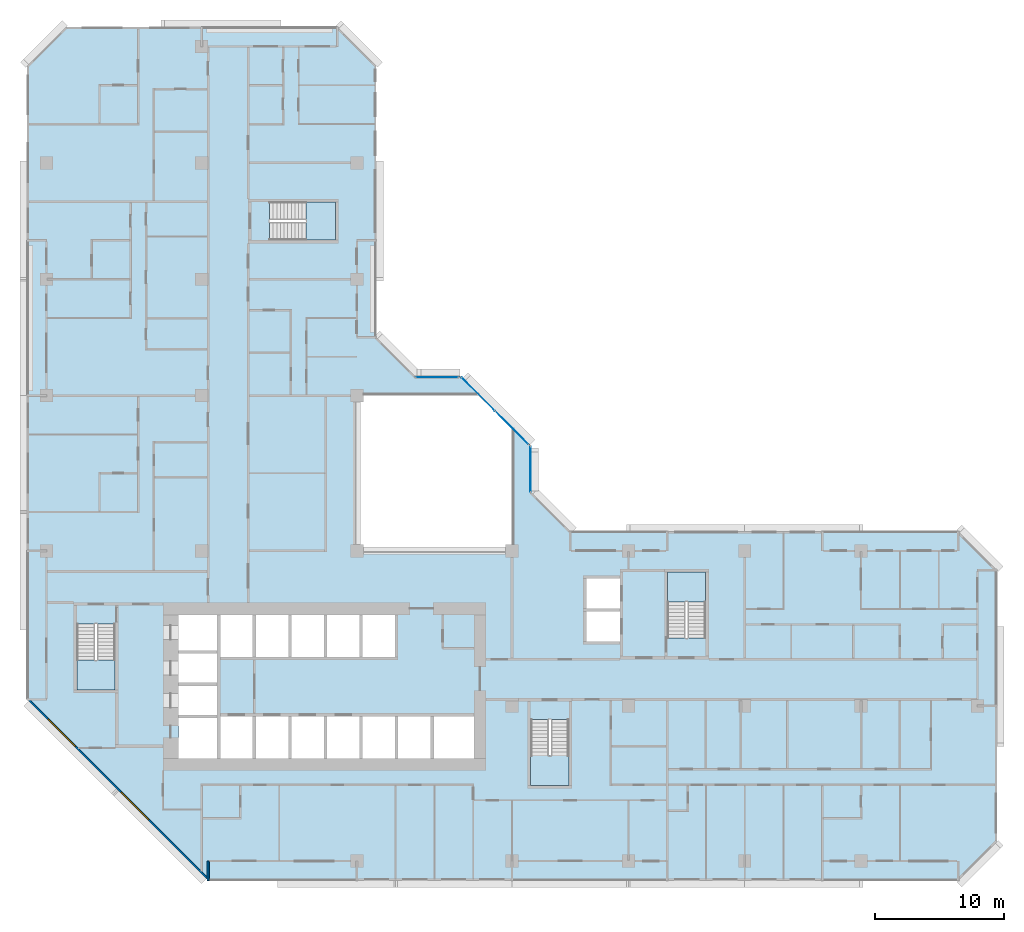
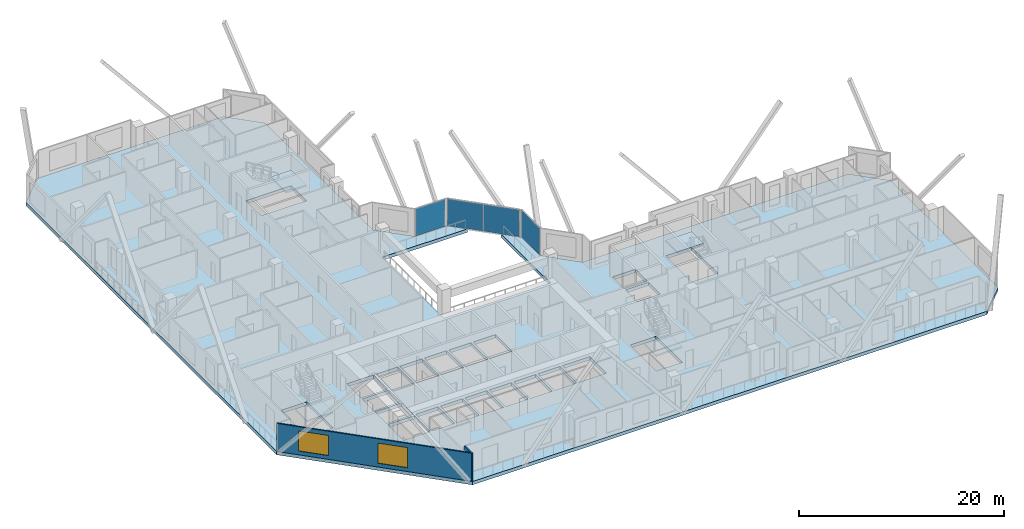
# One storey, part 3 of 15: 5 slabs, 4 plates, 2 walls, 2 windows, 2 openings, 7 elements without a shape of their own.
"""IFC4 building model written with IfcOpenShell, lengths in metres."""

import ifcopenshell
import ifcopenshell.guid

model = None  # the IFC model being written
_history = None  # IfcOwnerHistory: only IFC2X3 demands one
_inside = {}  # id of a spatial element -> (the spatial element, [elements in it])
_under = {}  # id of a project, library or spatial element -> (it, [spatial elements below it])
_declared = {}  # id of a project -> (the project, [libraries it declares])
_typed = {}  # id of a type object -> (the type object, [elements of that type])
_made_of = {}  # id of a material, layer set ... -> (it, [elements and type objects made of it])


def new_model(schema):
    """Start an empty IFC model of exactly this schema.

    Asked for "IFC4X3", IfcOpenShell would pick the latest addendum, in which some entities
    have other attributes; the version numbers below select the first issue.
    IFC2X3 requires an IfcOwnerHistory on every rooted entity: one is made here for all.
    """
    global model, _history
    if schema == "IFC4X3":
        model = ifcopenshell.file(schema_version=(4, 3, 0, 0))
    else:
        model = ifcopenshell.file(schema=schema)
    _inside.clear()
    _under.clear()
    _declared.clear()
    _typed.clear()
    _made_of.clear()
    _history = None
    if model.schema == "IFC2X3":
        org = make("IfcOrganization", Name="unknown")
        user = make(
            "IfcPersonAndOrganization",
            ThePerson=make("IfcPerson", FamilyName="unknown"),
            TheOrganization=org,
        )
        app = make(
            "IfcApplication",
            ApplicationDeveloper=org,
            Version="unknown",
            ApplicationFullName="unknown",
            ApplicationIdentifier="unknown",
        )
        _history = make(
            "IfcOwnerHistory",
            OwningUser=user,
            OwningApplication=app,
            ChangeAction="ADDED",
            CreationDate=0,
        )
    return model


def make(cls, **values):
    """One entity of the class cls with the attributes given. An attribute that is None is left unset."""
    return model.create_entity(
        cls, **{name: value for name, value in values.items() if value is not None}
    )


def rooted(cls, **values):
    """An entity with a GlobalId (a new one), such as an element, a storey or a relation."""
    return make(cls, GlobalId=ifcopenshell.guid.new(), OwnerHistory=_history, **values)


def si_unit(unit_type, name, prefix=None):
    """IfcSIUnit, for example si_unit("LENGTHUNIT", "METRE", prefix="MILLI")."""
    return make("IfcSIUnit", UnitType=unit_type, Prefix=prefix, Name=name)


def assignment(units):
    """IfcUnitAssignment: the units of a project."""
    return None if units is None else make("IfcUnitAssignment", Units=units)


def point(xyz):
    """IfcCartesianPoint."""
    return None if xyz is None else make("IfcCartesianPoint", Coordinates=xyz)


def direction(xyz):
    """IfcDirection."""
    return None if xyz is None else make("IfcDirection", DirectionRatios=xyz)


def frame(location, z_axis=None, x_axis=None):
    """IfcAxis2Placement3D, a coordinate frame: its origin and axes. An axis left out is left unset."""
    return make(
        "IfcAxis2Placement3D",
        Location=point(location),
        Axis=direction(z_axis),
        RefDirection=direction(x_axis),
    )


def frame_2d(location, x_axis=None):
    """IfcAxis2Placement2D, a coordinate frame in the plane: its origin and x axis."""
    return make(
        "IfcAxis2Placement2D", Location=point(location), RefDirection=direction(x_axis)
    )


def origin():
    """The frame at (0, 0, 0) with its axes left unset."""
    return frame((0.0, 0.0, 0.0))


def origin_2d():
    """The frame at (0, 0) in the plane with its x axis left unset."""
    return frame_2d((0.0, 0.0))


def place(relative_to, where):
    """IfcLocalPlacement: puts the frame where relative to a parent placement (None: the world)."""
    return make(
        "IfcLocalPlacement", PlacementRelTo=relative_to, RelativePlacement=where
    )


def context(
    kind, dimensions, precision=None, world=None, true_north=None, identifier=None
):
    """IfcGeometricRepresentationContext, for example the 3D "Model" context."""
    return make(
        "IfcGeometricRepresentationContext",
        ContextIdentifier=identifier,
        ContextType=kind,
        CoordinateSpaceDimension=dimensions,
        Precision=precision,
        WorldCoordinateSystem=world,
        TrueNorth=true_north,
    )


def subcontext(parent, identifier, kind, view, scale=None):
    """IfcGeometricRepresentationSubContext, for example "Body" below "Model"."""
    return make(
        "IfcGeometricRepresentationSubContext",
        ContextIdentifier=identifier,
        ContextType=kind,
        ParentContext=parent,
        TargetScale=scale,
        TargetView=view,
    )


def project(units=None, contexts=None):
    """IfcProject with its units and contexts."""
    return rooted(
        "IfcProject",
        Name="project",
        RepresentationContexts=contexts,
        UnitsInContext=assignment(units),
    )


def spatial(cls, under=None, at=None, **own):
    """A site, building, storey or space (cls), placed at a placement, below another one or the project."""
    s = rooted(cls, ObjectPlacement=at, **own)
    if under is not None:
        _under.setdefault(under.id(), (under, []))[1].append(s)
    return s


def polyline(points):
    """IfcPolyline through the points."""
    return make("IfcPolyline", Points=[point(p) for p in points])


def profile(cls, at=None, kind="AREA", **sizes):
    """A parametric profile (cls). Its sizes go by their IFC names, for example OverallWidth=200.0."""
    return make(cls, ProfileType=kind, Position=at, **sizes)


def rectangle(**sizes):
    """IfcRectangleProfileDef."""
    return profile("IfcRectangleProfileDef", **sizes)


def outline(outer, holes=None, kind="AREA"):
    """IfcArbitraryClosedProfileDef: a profile drawn as a closed curve; with holes, ...WithVoids."""
    if holes is None:
        return make("IfcArbitraryClosedProfileDef", ProfileType=kind, OuterCurve=outer)
    return make(
        "IfcArbitraryProfileDefWithVoids",
        ProfileType=kind,
        OuterCurve=outer,
        InnerCurves=holes,
    )


def extrude(swept, where, along, depth):
    """IfcExtrudedAreaSolid: the profile swept, set in the frame where, extruded along a direction by depth."""
    return make(
        "IfcExtrudedAreaSolid",
        SweptArea=swept,
        Position=where,
        ExtrudedDirection=direction(along),
        Depth=depth,
    )


def shape(context_of_items, identifier, shape_type, items):
    """IfcShapeRepresentation: the items that make up one representation, for example the "Body"."""
    return make(
        "IfcShapeRepresentation",
        ContextOfItems=context_of_items,
        RepresentationIdentifier=identifier,
        RepresentationType=shape_type,
        Items=items,
    )


def material(Name=None, Category=None):
    """IfcMaterial."""
    return make("IfcMaterial", Name=Name, Category=Category)


def layer(
    of_material, thickness, ventilated=None, Name=None, Category=None, Priority=None
):
    """IfcMaterialLayer: one layer of a wall or slab, of a material (None: an air gap)."""
    return make(
        "IfcMaterialLayer",
        Material=of_material,
        LayerThickness=thickness,
        IsVentilated=ventilated,
        Name=Name,
        Category=Category,
        Priority=Priority,
    )


def layer_set(layers, Name=None):
    """IfcMaterialLayerSet."""
    return make("IfcMaterialLayerSet", MaterialLayers=layers, LayerSetName=Name)


def made_of(thing, what):
    """Note that an element or type object is made of a material, layer set ...; save() writes the relation."""
    if what is not None:
        _made_of.setdefault(what.id(), (what, []))[1].append(thing)
    return thing


def type_object(cls, material=None, **own):
    """A type object (cls), such as IfcWallType, which elements share."""
    return made_of(rooted(cls, **own), material)


def element(
    cls,
    number,
    at=None,
    inside=None,
    cuts=None,
    type_object=None,
    material=None,
    context=None,
    identifier="Body",
    shape_type=None,
    held_by="IfcProductDefinitionShape",
    body=None,
    shapes=None,
    **own,
):
    """One element of the class cls, such as IfcWall. Its Tag is "e" and its number.

    at: its placement. inside: the storey or other place that contains it. cuts: it is an
    opening in that element (IfcRelVoidsElement). A single representation is given by context,
    identifier, shape_type and body (its items); several are given by shapes. held_by: the class
    of the entity that holds the representations. save() writes the other relations.
    """
    e = rooted(cls, Tag="e%d" % number, ObjectPlacement=at, **own)
    if body is not None:
        shapes = [shape(context, identifier, shape_type, body)]
    if shapes is not None:
        e.Representation = make(held_by, Representations=shapes)
    if inside is not None:
        _inside.setdefault(inside.id(), (inside, []))[1].append(e)
    if cuts is not None:
        rooted(
            "IfcRelVoidsElement", RelatingBuildingElement=cuts, RelatedOpeningElement=e
        )
    if type_object is not None:
        _typed.setdefault(type_object.id(), (type_object, []))[1].append(e)
    return made_of(e, material)


def fill(opening, filler):
    """IfcRelFillsElement: the door or window that sits in an opening."""
    return rooted(
        "IfcRelFillsElement",
        RelatingOpeningElement=opening,
        RelatedBuildingElement=filler,
    )


def aggregate(whole, parts):
    """IfcRelAggregates: a whole, such as a stair, and the parts it consists of."""
    return rooted("IfcRelAggregates", RelatingObject=whole, RelatedObjects=parts)


def save(model, path):
    """Write the relations noted so far, then the file.

    IfcRelAggregates (storeys below a building ...), IfcRelContainedInSpatialStructure (elements
    in a storey), IfcRelDefinesByType, IfcRelAssociatesMaterial and IfcRelDeclares: one each for
    every whole, place, type object, material and project.
    """
    for whole, parts in _under.values():
        aggregate(whole, parts)
    for where, things in _inside.values():
        rooted(
            "IfcRelContainedInSpatialStructure",
            RelatedElements=things,
            RelatingStructure=where,
        )
    for kind, things in _typed.values():
        rooted("IfcRelDefinesByType", RelatedObjects=things, RelatingType=kind)
    for what, things in _made_of.values():
        rooted("IfcRelAssociatesMaterial", RelatedObjects=things, RelatingMaterial=what)
    for by, libraries in _declared.values():
        rooted("IfcRelDeclares", RelatingContext=by, RelatedDefinitions=libraries)
    model.write(path)


model = new_model("IFC4")

# Units and contexts
model_context = context("Model", 3, precision=1e-05, world=origin(), true_north=direction((0.0, 1.0)))
body_context = subcontext(model_context, "Body", "Model", "MODEL_VIEW")
ifc_project = project(units=[si_unit("LENGTHUNIT", "METRE"), si_unit("AREAUNIT", "SQUARE_METRE"), si_unit("VOLUMEUNIT", "CUBIC_METRE"), si_unit("PLANEANGLEUNIT", "RADIAN"), si_unit("MASSUNIT", "GRAM", prefix="KILO")], contexts=[model_context])

# Site, building, storey
site_placement = place(None, origin())
site = spatial("IfcSite", under=ifc_project, at=site_placement, CompositionType="ELEMENT")
building_placement = place(site_placement, origin())
building = spatial("IfcBuilding", under=site, at=building_placement, Name="Chenar Terraces", CompositionType="ELEMENT")
storey_placement = place(building_placement, frame((0.0, 0.0, 129.39990234375)))
storey = spatial("IfcBuildingStorey", under=building, at=storey_placement, Name="L30", CompositionType="ELEMENT", Elevation=129.39990234375)

# Curtain wall, plate
ifc_material_1 = material(Name="Aluminium framed glazing", Category="aluminium")
ifc_layer_1 = layer(ifc_material_1, 0.14990234375)
ifc_layer_set_1 = layer_set([ifc_layer_1], Name="Aluminium framed glazing")
curtain_wall_type = type_object("IfcCurtainWallType", Name="Atrium curtain wall", PredefinedType="NOTDEFINED", material=ifc_layer_set_1)
placement_1 = place(storey_placement, origin())
curtain_wall_1 = element("IfcCurtainWall", 1, at=placement_1, inside=storey, type_object=curtain_wall_type, Name="Atrium curtain wall", PredefinedType="NOTDEFINED")
ifc_material_2 = material(Name="Low emissivity laminated glass, solar control coating", Category="glass")
ifc_layer_2 = layer(ifc_material_2, 0.028076171875)
ifc_layer_set_2 = layer_set([ifc_layer_2], Name="Low emissivity laminated glass, solar control coating")
plate_type = type_object("IfcPlateType", Name="Atrium glazing panel 28", PredefinedType="CURTAIN_PANEL", material=ifc_layer_set_2)
plate_1_placement = place(storey_placement, frame((37.425048828125, 30.300048828125, 0.06005859375), z_axis=(0.0, 0.0, 1.0), x_axis=(0.0, 1.0, 0.0)))
plate_1 = element("IfcPlate", 2, at=plate_1_placement, type_object=plate_type, Name="CW1-1 panel 1.1", PredefinedType="CURTAIN_PANEL", context=body_context, shape_type="SweptSolid", body=[
    extrude(rectangle(XDim=3.47998046875, YDim=0.028076171875, at=origin_2d()), origin(), (0.0, 0.0, 1.0), 3.22998046875),
])
aggregate(curtain_wall_1, [plate_1])

# Curtain wall, plates
curtain_wall_2 = element("IfcCurtainWall", 3, at=placement_1, inside=storey, type_object=curtain_wall_type, Name="Atrium curtain wall", PredefinedType="NOTDEFINED")
plate_2_placement = place(storey_placement, frame((35.980224609375, 33.513671875, 0.06005859375), z_axis=(0.0, 0.0, 1.0), x_axis=(-0.707106781187, 0.707106781187, 0.0)))
plate_2 = element("IfcPlate", 4, at=plate_2_placement, type_object=plate_type, Name="CW1-2 panel 1.1", PredefinedType="CURTAIN_PANEL", context=body_context, shape_type="SweptSolid", body=[
    extrude(rectangle(XDim=3.62841796875, YDim=0.028076171875, at=origin_2d()), origin(), (0.0, 0.0, 1.0), 3.22998046875),
])
plate_3_placement = place(storey_placement, frame((33.3720703125, 36.121826171875, 0.06005859375), z_axis=(0.0, 0.0, 1.0), x_axis=(-0.707106781187, 0.707106781187, 0.0)))
plate_3 = element("IfcPlate", 5, at=plate_3_placement, type_object=plate_type, Name="CW1-2 panel 2.1", PredefinedType="CURTAIN_PANEL", context=body_context, shape_type="SweptSolid", body=[
    extrude(rectangle(XDim=3.62841796875, YDim=0.028076171875, at=origin_2d()), origin(), (0.0, 0.0, 1.0), 3.22998046875),
])
aggregate(curtain_wall_2, [plate_2, plate_3])

# Curtain wall, plate
curtain_wall_3 = element("IfcCurtainWall", 6, at=placement_1, inside=storey, type_object=curtain_wall_type, Name="Atrium curtain wall", PredefinedType="NOTDEFINED")
plate_4_placement = place(storey_placement, frame((30.199951171875, 37.425048828125, 0.06005859375), z_axis=(0.0, 0.0, 1.0), x_axis=(-1.0, 0.0, 0.0)))
plate_4 = element("IfcPlate", 7, at=plate_4_placement, type_object=plate_type, Name="CW1-3 panel 1.1", PredefinedType="CURTAIN_PANEL", context=body_context, shape_type="SweptSolid", body=[
    extrude(rectangle(XDim=3.280029296875, YDim=0.028076171875, at=origin_2d()), origin(), (0.0, 0.0, 1.0), 3.22998046875),
])
aggregate(curtain_wall_3, [plate_4])

# Stair, slab
ifc_material_3 = material(Name="Reinforced concrete C40/50", Category="concrete")
stair_type = type_object("IfcStairType", Name="Core stair 1400 half-turn", PredefinedType="HALF_TURN_STAIR", material=ifc_material_3)
stair_1 = element("IfcStair", 8, at=placement_1, inside=storey, type_object=stair_type, Name="L30 Stair 1", PredefinedType="HALF_TURN_STAIR")
ifc_material_4 = material(Name="Reinforced concrete C40/50", Category="concrete")
ifc_layer_3 = layer(ifc_material_4, 0.199951171875)
ifc_layer_set_3 = layer_set([ifc_layer_3], Name="Reinforced concrete C40/50")
slab_type_1 = type_object("IfcSlabType", Name="Core stair landing 200", PredefinedType="LANDING", material=ifc_layer_set_3)
placement_2 = place(storey_placement, frame((0.0, 0.0, 1.675048828125)))
slab_1 = element("IfcSlab", 9, at=placement_2, type_object=slab_type_1, Name="ST1 landing 1", PredefinedType="LANDING", context=body_context, shape_type="SweptSolid", body=[
    extrude(outline(polyline([(2.35009765625, 15.550048828125), (2.35009765625, 13.25), (5.300048828125, 13.25), (5.300048828125, 15.550048828125), (2.35009765625, 15.550048828125)])), origin(), (0.0, 0.0, 1.0), 0.199951171875),
])
aggregate(stair_1, [slab_1])

stair_2 = element("IfcStair", 10, at=placement_1, inside=storey, type_object=stair_type, Name="L30 Stair 2", PredefinedType="HALF_TURN_STAIR")
slab_2 = element("IfcSlab", 11, at=placement_2, type_object=slab_type_1, Name="ST2 landing 1", PredefinedType="LANDING", context=body_context, shape_type="SweptSolid", body=[
    extrude(outline(polyline([(37.449951171875, 8.14990234375), (37.449951171875, 5.85009765625), (40.39990234375, 5.85009765625), (40.39990234375, 8.14990234375), (37.449951171875, 8.14990234375)])), origin(), (0.0, 0.0, 1.0), 0.199951171875),
])
aggregate(stair_2, [slab_2])

stair_3 = element("IfcStair", 12, at=placement_1, inside=storey, type_object=stair_type, Name="L30 Stair 3", PredefinedType="HALF_TURN_STAIR")
slab_3 = element("IfcSlab", 13, at=placement_2, type_object=slab_type_1, Name="ST3 landing 1", PredefinedType="LANDING", context=body_context, shape_type="SweptSolid", body=[
    extrude(outline(polyline([(50.97509765625, 20.050048828125), (50.97509765625, 22.35009765625), (48.02490234375, 22.35009765625), (48.02490234375, 20.050048828125), (50.97509765625, 20.050048828125)])), origin(), (0.0, 0.0, 1.0), 0.199951171875),
])
aggregate(stair_3, [slab_3])

stair_4 = element("IfcStair", 14, at=placement_1, inside=storey, type_object=stair_type, Name="L30 Stair 4", PredefinedType="HALF_TURN_STAIR")
slab_4 = element("IfcSlab", 15, at=placement_2, type_object=slab_type_1, Name="ST4 landing 1", PredefinedType="LANDING", context=body_context, shape_type="SweptSolid", body=[
    extrude(outline(polyline([(20.050048828125, 48.02490234375), (22.35009765625, 48.02490234375), (22.35009765625, 50.97509765625), (20.050048828125, 50.97509765625), (20.050048828125, 48.02490234375)])), origin(), (0.0, 0.0, 1.0), 0.199951171875),
])
aggregate(stair_4, [slab_4])

# Slab
ifc_material_5 = material(Name="Concrete C40/50", Category="concrete")
ifc_layer_4 = layer(ifc_material_5, 0.39990234375)
ifc_layer_set_4 = layer_set([ifc_layer_4], Name="Concrete C40/50")
slab_type_2 = type_object("IfcSlabType", Name="Floor slab 400 Concrete C40/50", PredefinedType="FLOOR", material=ifc_layer_set_4)
slab_5_placement = place(storey_placement, frame((0.0, 0.0, -0.39990234375)))
element("IfcSlab", 16, at=slab_5_placement, inside=storey, type_object=slab_type_2, Name="Floor slab L30", PredefinedType="FLOOR", context=body_context, shape_type="SweptSolid", body=[
    extrude(outline(polyline([(73.5, 22.5), (73.5, 1.5), (70.5, -1.5), (12.5, -1.5), (-1.5, 12.5), (-1.5, 61.5), (1.5, 64.5), (22.5, 64.5), (25.5, 61.5), (25.5, 40.5), (28.5, 37.5), (32.10009765625, 37.5), (33.60009765625, 36.0), (24.0, 36.0), (24.0, 24.0), (36.0, 24.0), (36.0, 33.60009765625), (37.5, 32.10009765625), (37.5, 28.5), (40.5, 25.5), (70.5, 25.5), (73.5, 22.5)]), holes=[polyline([(13.199951171875, 11.050048828125), (10.199951171875, 11.050048828125), (10.199951171875, 7.949951171875), (13.199951171875, 7.949951171875), (13.199951171875, 11.050048828125)]), polyline([(15.949951171875, 11.199951171875), (13.449951171875, 11.199951171875), (13.449951171875, 7.949951171875), (15.949951171875, 7.949951171875), (15.949951171875, 11.199951171875)]), polyline([(18.699951171875, 11.199951171875), (16.199951171875, 11.199951171875), (16.199951171875, 7.949951171875), (18.699951171875, 7.949951171875), (18.699951171875, 11.199951171875)]), polyline([(21.449951171875, 7.949951171875), (21.449951171875, 11.199951171875), (18.949951171875, 11.199951171875), (18.949951171875, 7.949951171875), (21.449951171875, 7.949951171875)]), polyline([(13.199951171875, 11.300048828125), (13.199951171875, 13.550048828125), (10.199951171875, 13.550048828125), (10.199951171875, 11.300048828125), (13.199951171875, 11.300048828125)]), polyline([(13.199951171875, 16.050048828125), (10.199951171875, 16.050048828125), (10.199951171875, 13.800048828125), (13.199951171875, 13.800048828125), (13.199951171875, 16.050048828125)]), polyline([(2.35009765625, 18.35009765625), (2.35009765625, 13.25), (5.300048828125, 13.25), (5.300048828125, 18.35009765625), (2.35009765625, 18.35009765625)]), polyline([(15.949951171875, 15.800048828125), (15.949951171875, 19.050048828125), (13.449951171875, 19.050048828125), (13.449951171875, 15.800048828125), (15.949951171875, 15.800048828125)]), polyline([(18.699951171875, 19.050048828125), (16.199951171875, 19.050048828125), (16.199951171875, 15.800048828125), (18.699951171875, 15.800048828125), (18.699951171875, 19.050048828125)]), polyline([(21.449951171875, 15.800048828125), (21.449951171875, 19.050048828125), (18.949951171875, 19.050048828125), (18.949951171875, 15.800048828125), (21.449951171875, 15.800048828125)]), polyline([(13.199951171875, 16.300048828125), (13.199951171875, 19.050048828125), (10.199951171875, 19.050048828125), (10.199951171875, 16.300048828125), (13.199951171875, 16.300048828125)]), polyline([(22.35009765625, 48.02490234375), (22.35009765625, 50.97509765625), (17.25, 50.97509765625), (17.25, 48.02490234375), (22.35009765625, 48.02490234375)]), polyline([(37.449951171875, 10.949951171875), (37.449951171875, 5.85009765625), (40.39990234375, 5.85009765625), (40.39990234375, 10.949951171875), (37.449951171875, 10.949951171875)]), polyline([(24.199951171875, 7.949951171875), (24.199951171875, 11.199951171875), (21.699951171875, 11.199951171875), (21.699951171875, 7.949951171875), (24.199951171875, 7.949951171875)]), polyline([(26.949951171875, 11.199951171875), (24.449951171875, 11.199951171875), (24.449951171875, 7.949951171875), (26.949951171875, 7.949951171875), (26.949951171875, 11.199951171875)]), polyline([(29.699951171875, 7.949951171875), (29.699951171875, 11.199951171875), (27.199951171875, 11.199951171875), (27.199951171875, 7.949951171875), (29.699951171875, 7.949951171875)]), polyline([(33.050048828125, 7.949951171875), (33.050048828125, 11.199951171875), (29.949951171875, 11.199951171875), (29.949951171875, 7.949951171875), (33.050048828125, 7.949951171875)]), polyline([(24.199951171875, 19.050048828125), (21.699951171875, 19.050048828125), (21.699951171875, 15.800048828125), (24.199951171875, 15.800048828125), (24.199951171875, 19.050048828125)]), polyline([(26.949951171875, 15.800048828125), (26.949951171875, 19.050048828125), (24.449951171875, 19.050048828125), (24.449951171875, 15.800048828125), (26.949951171875, 15.800048828125)]), polyline([(44.35009765625, 17.0), (44.35009765625, 19.300048828125), (41.75, 19.300048828125), (41.75, 17.0), (44.35009765625, 17.0)]), polyline([(50.97509765625, 22.35009765625), (48.02490234375, 22.35009765625), (48.02490234375, 17.25), (50.97509765625, 17.25), (50.97509765625, 22.35009765625)]), polyline([(44.35009765625, 19.550048828125), (44.35009765625, 21.85009765625), (41.75, 21.85009765625), (41.75, 19.550048828125), (44.35009765625, 19.550048828125)])]), origin(), (0.0, 0.0, 1.0), 0.39990234375),
])

# Wall
ifc_material_6 = material(Name="Terracotta cladding on insulated backing", Category="masonry")
ifc_layer_5 = layer(ifc_material_6, 0.14990234375)
ifc_layer_set_5 = layer_set([ifc_layer_5], Name="Terracotta cladding on insulated backing")
wall_type_1 = type_object("IfcWallType", Name="Loggia return wall 150", PredefinedType="SOLIDWALL", material=ifc_layer_set_5)
wall_1_placement = place(storey_placement, frame((12.5, -1.5, 0.0), z_axis=(0.0, 0.0, 1.0), x_axis=(0.0, 1.0, 0.0)))
element("IfcWall", 17, at=wall_1_placement, inside=storey, type_object=wall_type_1, Name="Loggia return wall", PredefinedType="SOLIDWALL", context=body_context, shape_type="SweptSolid", body=[
    extrude(rectangle(XDim=1.5, YDim=0.14990234375, at=frame_2d((0.75, 0.0))), origin(), (0.0, 0.0, 1.0), 3.35009765625),
])

# Wall, openings, windows
ifc_material_7 = material(Name="Terracotta cladding on insulated backing", Category="masonry")
ifc_layer_6 = layer(ifc_material_7, 0.14990234375)
ifc_layer_set_6 = layer_set([ifc_layer_6], Name="Terracotta cladding on insulated backing")
wall_type_2 = type_object("IfcWallType", Name="Terracotta rainscreen wall 150", PredefinedType="SOLIDWALL", material=ifc_layer_set_6)
wall_2_placement = place(storey_placement, frame((-1.447021484375, 12.552978515625, 0.0), z_axis=(0.0, 0.0, 1.0), x_axis=(0.707106781187, -0.707106781187, 0.0)))
wall_2 = element("IfcWall", 18, at=wall_2_placement, inside=storey, type_object=wall_type_2, Name="Terracotta rainscreen wall", PredefinedType="SOLIDWALL", context=body_context, shape_type="SweptSolid", body=[
    extrude(rectangle(XDim=19.799072265625, YDim=0.14990234375, at=frame_2d((9.8994140625, 0.0))), origin(), (0.0, 0.0, 1.0), 3.35009765625),
])
opening_1_placement = place(wall_2_placement, frame((2.21240234375, 0.0, 0.449951171875)))
opening_1 = element("IfcOpeningElement", 19, at=opening_1_placement, cuts=wall_2, Name="Opening W300x240", PredefinedType="OPENING", context=body_context, shape_type="SweptSolid", body=[
    extrude(rectangle(XDim=3.0, YDim=2.39990234375, at=frame_2d((1.5, 1.199951171875))), frame((0.0, 0.0849609375, 0.0), z_axis=(0.0, -1.0, 0.0), x_axis=(1.0, 0.0, 0.0)), (0.0, 0.0, 1.0), 0.169921875),
])
opening_2_placement = place(wall_2_placement, frame((10.215576171875, 0.0, 0.449951171875)))
opening_2 = element("IfcOpeningElement", 20, at=opening_2_placement, cuts=wall_2, Name="Opening W300x240", PredefinedType="OPENING", context=body_context, shape_type="SweptSolid", body=[
    extrude(rectangle(XDim=3.0, YDim=2.39990234375, at=frame_2d((1.5, 1.199951171875))), frame((0.0, 0.0849609375, 0.0), z_axis=(0.0, -1.0, 0.0), x_axis=(1.0, 0.0, 0.0)), (0.0, 0.0, 1.0), 0.169921875),
])
ifc_material_8 = material(Name="Low emissivity double glazing, aluminium frame", Category="aluminium")
window_type = type_object("IfcWindowType", Name="Fixed light 3000 x 2400", PartitioningType="SINGLE_PANEL", PredefinedType="WINDOW", material=ifc_material_8)
window_1_placement = place(opening_1_placement, origin())
window_1 = element("IfcWindow", 21, at=window_1_placement, inside=storey, type_object=window_type, Name="Window", OverallHeight=2.39990234375, OverallWidth=3.0, PartitioningType="SINGLE_PANEL", PredefinedType="WINDOW", context=body_context, shape_type="SweptSolid", body=[
    extrude(rectangle(XDim=3.0, YDim=2.39990234375, at=frame_2d((1.5, 1.199951171875))), frame((0.0, 0.030029296875, 0.0), z_axis=(0.0, -1.0, 0.0), x_axis=(1.0, 0.0, 0.0)), (0.0, 0.0, 1.0), 0.06005859375),
])
fill(opening_1, window_1)
window_2_placement = place(opening_2_placement, origin())
window_2 = element("IfcWindow", 22, at=window_2_placement, inside=storey, type_object=window_type, Name="Window", OverallHeight=2.39990234375, OverallWidth=3.0, PartitioningType="SINGLE_PANEL", PredefinedType="WINDOW", context=body_context, shape_type="SweptSolid", body=[
    extrude(rectangle(XDim=3.0, YDim=2.39990234375, at=frame_2d((1.5, 1.199951171875))), frame((0.0, 0.030029296875, 0.0), z_axis=(0.0, -1.0, 0.0), x_axis=(1.0, 0.0, 0.0)), (0.0, 0.0, 1.0), 0.06005859375),
])
fill(opening_2, window_2)

save(model, "model.ifc")
